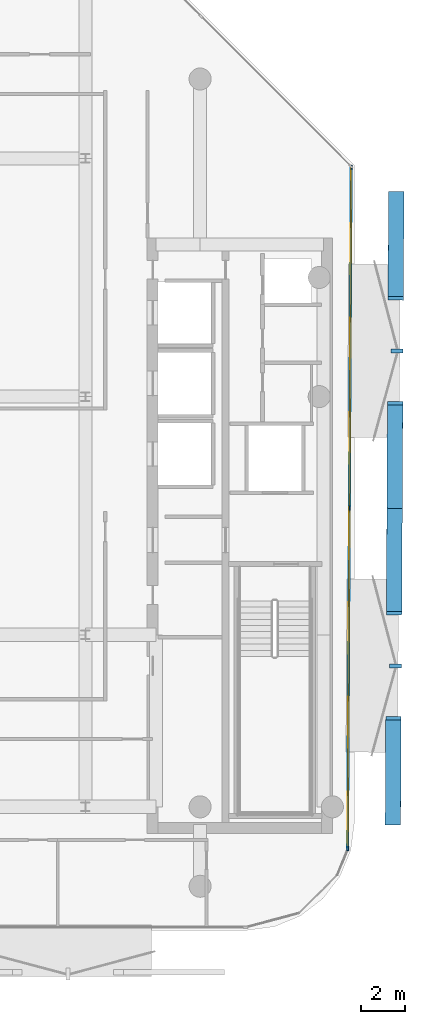
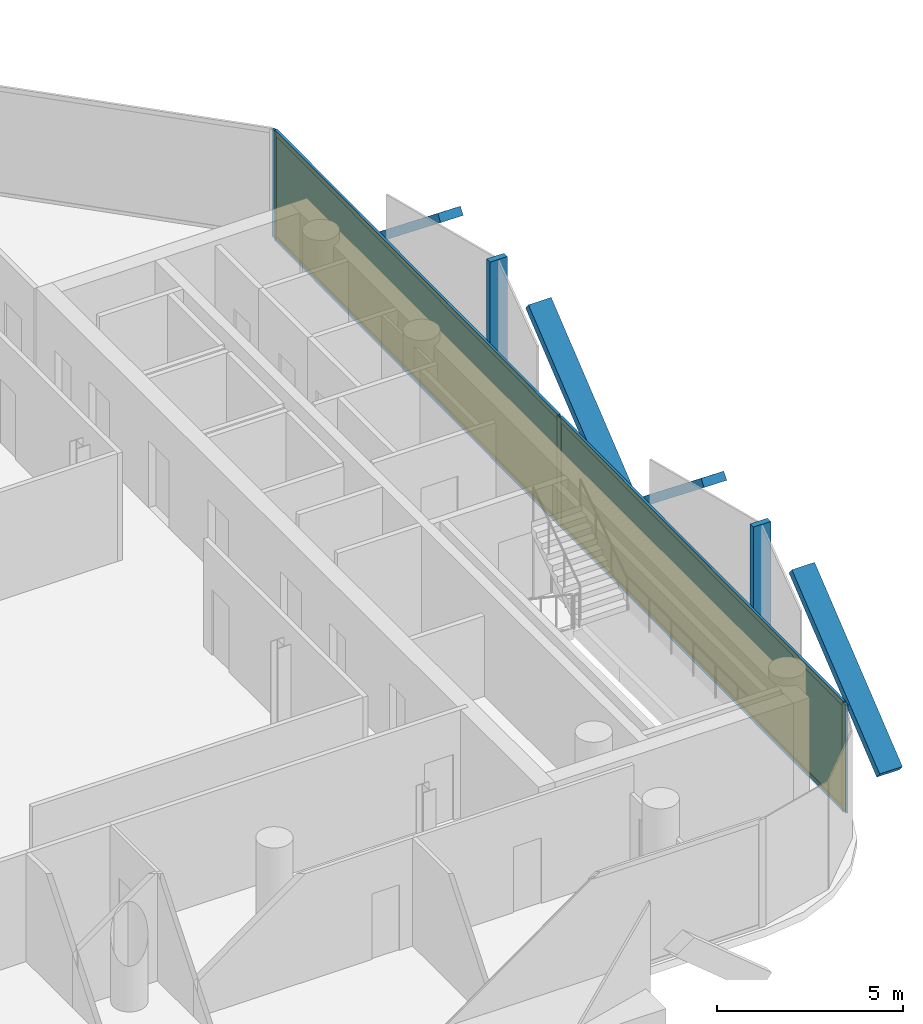
# One storey, part 11 of 16: 13 members, 2 plates, 1 curtain wall.
"""IFC4 building model written with IfcOpenShell, lengths in metres."""

from ifc_helpers import new_model, si_unit, direction, frame, frame_2d, origin, origin_2d, place, context, subcontext, project, spatial, rectangle, extrude, material, layer, layer_set, material_profile, profile_set, type_object, element, aggregate, save


model = new_model("IFC4")

# Units and contexts
model_context = context("Model", 3, precision=1e-05, world=origin(), true_north=direction((0.0, 1.0)))
body_context = subcontext(model_context, "Body", "Model", "MODEL_VIEW")
ifc_project = project(units=[si_unit("LENGTHUNIT", "METRE"), si_unit("AREAUNIT", "SQUARE_METRE"), si_unit("VOLUMEUNIT", "CUBIC_METRE"), si_unit("PLANEANGLEUNIT", "RADIAN"), si_unit("MASSUNIT", "GRAM", prefix="KILO")], contexts=[model_context])

# Member
ifc_material_1 = material(Name="Anodised Bronze Aluminium 6063-T6", Category="aluminium")
ifc_material_profile_1 = material_profile(ifc_material_1, rectangle(XDim=0.260009765625, YDim=0.699951171875, at=origin_2d()))
ifc_profile_set_1 = profile_set([ifc_material_profile_1], Name="Anodised Bronze Aluminium 6063-T6")
member_type_1 = type_object("IfcMemberType", Name="Bronze Diamond Solar-Screen Lattice Rib BDL-700", PredefinedType="MULLION", material=ifc_profile_set_1)
site_placement = place(None, origin())
building_placement = place(site_placement, origin())
storey_placement = place(building_placement, frame((0.0, 0.0, 300.39990234375)))
member_1_placement = place(storey_placement, frame((23.293701171875, 9.211181640625, -0.1298828125), z_axis=(-0.004129200536, -0.781421134407, 0.623990352814), x_axis=(-0.008533101281, -0.623945420184, -0.781421332454)))
member_1 = element("IfcMember", 1, at=member_1_placement, type_object=member_type_1, Name="L72 Bronze Diamond Solar Screen Lattice Rib 508A", PredefinedType="MULLION", context=body_context, shape_type="SweptSolid", body=[
    extrude(rectangle(XDim=0.260009765625, YDim=0.699951171875, at=origin_2d()), origin(), (0.0, 0.0, 1.0), 6.08984375),
])

member_2_placement = place(storey_placement, frame((23.21826171875, -5.065673828125, -0.1298828125), z_axis=(0.004129071185, 0.781436743696, 0.623970805706), x_axis=(0.008532828862, 0.62392587593, -0.781436940627)))
member_2 = element("IfcMember", 2, at=member_2_placement, type_object=member_type_1, Name="L72 Bronze Diamond Solar Screen Lattice Rib 508B", PredefinedType="MULLION", context=body_context, shape_type="SweptSolid", body=[
    extrude(rectangle(XDim=0.260009765625, YDim=0.699951171875, at=origin_2d()), origin(), (0.0, 0.0, 1.0), 6.090087890625),
])

member_3_placement = place(storey_placement, frame((23.21826171875, -5.065673828125, -0.1298828125), z_axis=(-0.004129071185, -0.781436743696, 0.623970805706), x_axis=(-0.008532828862, -0.62392587593, -0.781436940627)))
member_3 = element("IfcMember", 3, at=member_3_placement, type_object=member_type_1, Name="L72 Bronze Diamond Solar Screen Lattice Rib 509A", PredefinedType="MULLION", context=body_context, shape_type="SweptSolid", body=[
    extrude(rectangle(XDim=0.260009765625, YDim=0.699951171875, at=origin_2d()), origin(), (0.0, 0.0, 1.0), 6.090087890625),
])

member_4_placement = place(storey_placement, frame((23.142822265625, -19.342529296875, -0.1298828125), z_axis=(0.004129071185, 0.781436743696, 0.623970805706), x_axis=(0.008532828862, 0.62392587593, -0.781436940627)))
member_4 = element("IfcMember", 4, at=member_4_placement, type_object=member_type_1, Name="L72 Bronze Diamond Solar Screen Lattice Rib 509B", PredefinedType="MULLION", context=body_context, shape_type="SweptSolid", body=[
    extrude(rectangle(XDim=0.260009765625, YDim=0.699951171875, at=origin_2d()), origin(), (0.0, 0.0, 1.0), 6.090087890625),
])

ifc_material_2 = material(Name="Anodised Bronze Aluminium 6063-T6", Category="aluminium")
ifc_material_profile_2 = material_profile(ifc_material_2, rectangle(XDim=0.179931640625, YDim=0.5400390625, at=origin_2d()))
ifc_profile_set_2 = profile_set([ifc_material_profile_2], Name="Anodised Bronze Aluminium 6063-T6")
member_type_2 = type_object("IfcMemberType", Name="Bronze Solar-Screen Vertical Fold Fin BSF-540", PredefinedType="MULLION", material=ifc_profile_set_2)
member_5_placement = place(storey_placement, frame((23.3359375, 2.072509765625, -0.1298828125), z_axis=(0.0, 0.0, 1.0), x_axis=(-0.005235963831, -0.999986292247, 0.0)))
member_5 = element("IfcMember", 5, at=member_5_placement, type_object=member_type_2, Name="L72 Bronze Solar Screen Vertical Fin 508", PredefinedType="MULLION", context=body_context, shape_type="SweptSolid", body=[
    extrude(rectangle(XDim=0.179931640625, YDim=0.5400390625, at=origin_2d()), origin(), (0.0, 0.0, 1.0), 3.800048828125),
])

member_6_placement = place(storey_placement, frame((23.260498046875, -12.20458984375, -0.1298828125), z_axis=(0.0, 0.0, 1.0), x_axis=(-0.005235963831, -0.999986292247, 0.0)))
member_6 = element("IfcMember", 6, at=member_6_placement, type_object=member_type_2, Name="L72 Bronze Solar Screen Vertical Fin 509", PredefinedType="MULLION", context=body_context, shape_type="SweptSolid", body=[
    extrude(rectangle(XDim=0.179931640625, YDim=0.5400390625, at=origin_2d()), origin(), (0.0, 0.0, 1.0), 3.800048828125),
])

ifc_material_3 = material(Name="Anodised Bronze Aluminium 6063-T6", Category="aluminium")
ifc_material_profile_3 = material_profile(ifc_material_3, rectangle(XDim=0.074951171875, YDim=0.2099609375, at=origin_2d()))
ifc_profile_set_3 = profile_set([ifc_material_profile_3], Name="Anodised Bronze Aluminium 6063-T6")
member_type_3 = type_object("IfcMemberType", Name="CW-CRN Mullion 75x210", PredefinedType="MULLION", material=ifc_profile_set_3)
member_7_placement = place(storey_placement, frame((21.259765625, 10.384521484375, 0.0), z_axis=(0.0, 0.0, 1.0), x_axis=(0.999986067152, -0.005278778418, 0.0)))
member_7 = element("IfcMember", 7, at=member_7_placement, type_object=member_type_3, Name="CW-CRN mullion 1", PredefinedType="MULLION", context=body_context, shape_type="SweptSolid", body=[
    extrude(rectangle(XDim=0.074951171875, YDim=0.2099609375, at=origin_2d()), origin(), (0.0, 0.0, 1.0), 3.5400390625),
])

member_8_placement = place(storey_placement, frame((21.17822265625, -5.054931640625, 0.0), z_axis=(0.0, 0.0, 1.0), x_axis=(0.999986067152, -0.005278778418, 0.0)))
member_8 = element("IfcMember", 8, at=member_8_placement, type_object=member_type_3, Name="CW-CRN mullion 2", PredefinedType="MULLION", context=body_context, shape_type="SweptSolid", body=[
    extrude(rectangle(XDim=0.074951171875, YDim=0.2099609375, at=origin_2d()), origin(), (0.0, 0.0, 1.0), 3.5400390625),
])

member_9_placement = place(storey_placement, frame((21.0966796875, -20.494140625, 0.0), z_axis=(0.0, 0.0, 1.0), x_axis=(0.999986067152, -0.005278778418, 0.0)))
member_9 = element("IfcMember", 9, at=member_9_placement, type_object=member_type_3, Name="CW-CRN mullion 3", PredefinedType="MULLION", context=body_context, shape_type="SweptSolid", body=[
    extrude(rectangle(XDim=0.074951171875, YDim=0.2099609375, at=origin_2d()), origin(), (0.0, 0.0, 1.0), 3.5400390625),
])

ifc_material_4 = material(Name="Anodised Bronze Aluminium 6063-T6", Category="aluminium")
ifc_material_profile_4 = material_profile(ifc_material_4, rectangle(XDim=0.074951171875, YDim=0.1650390625, at=origin_2d()))
ifc_profile_set_4 = profile_set([ifc_material_profile_4], Name="Anodised Bronze Aluminium 6063-T6")
member_type_4 = type_object("IfcMemberType", Name="CW-CRN Transom 75x165", PredefinedType="USERDEFINED", material=ifc_profile_set_4)
member_10_placement = place(storey_placement, frame((21.259521484375, 10.346923828125, 0.03759765625), z_axis=(-0.005275462088, -0.999986084653, 0.0), x_axis=(0.999986084653, -0.005275462088, 0.0)))
member_10 = element("IfcMember", 10, at=member_10_placement, type_object=member_type_4, Name="CW-CRN transom 1.1", ObjectType="TRANSOM", PredefinedType="USERDEFINED", context=body_context, shape_type="SweptSolid", body=[
    extrude(rectangle(XDim=0.074951171875, YDim=0.1650390625, at=origin_2d()), origin(), (0.0, 0.0, 1.0), 15.364501953125),
])

member_11_placement = place(storey_placement, frame((21.259521484375, 10.346923828125, 3.502685546875), z_axis=(-0.005275462088, -0.999986084653, 0.0), x_axis=(0.999986084653, -0.005275462088, 0.0)))
member_11 = element("IfcMember", 11, at=member_11_placement, type_object=member_type_4, Name="CW-CRN transom 1.2", ObjectType="TRANSOM", PredefinedType="USERDEFINED", context=body_context, shape_type="SweptSolid", body=[
    extrude(rectangle(XDim=0.074951171875, YDim=0.1650390625, at=origin_2d()), origin(), (0.0, 0.0, 1.0), 15.364501953125),
])

member_12_placement = place(storey_placement, frame((21.17822265625, -5.09228515625, 0.03759765625), z_axis=(-0.005291267513, -0.999986001146, 0.0), x_axis=(0.999986001146, -0.005291267513, 0.0)))
member_12 = element("IfcMember", 12, at=member_12_placement, type_object=member_type_4, Name="CW-CRN transom 2.1", ObjectType="TRANSOM", PredefinedType="USERDEFINED", context=body_context, shape_type="SweptSolid", body=[
    extrude(rectangle(XDim=0.074951171875, YDim=0.1650390625, at=origin_2d()), origin(), (0.0, 0.0, 1.0), 15.36474609375),
])

member_13_placement = place(storey_placement, frame((21.17822265625, -5.09228515625, 3.502685546875), z_axis=(-0.005291267513, -0.999986001146, 0.0), x_axis=(0.999986001146, -0.005291267513, 0.0)))
member_13 = element("IfcMember", 13, at=member_13_placement, type_object=member_type_4, Name="CW-CRN transom 2.2", ObjectType="TRANSOM", PredefinedType="USERDEFINED", context=body_context, shape_type="SweptSolid", body=[
    extrude(rectangle(XDim=0.074951171875, YDim=0.1650390625, at=origin_2d()), origin(), (0.0, 0.0, 1.0), 15.36474609375),
])

# Plate
ifc_material_5 = material(Name="Low-E Solar Control Laminated Glass", Category="glass")
ifc_layer_1 = layer(ifc_material_5, 0.035888671875, Name="Low-E Solar Control Laminated Glass")
ifc_layer_set_1 = layer_set([ifc_layer_1], Name="Low-E Solar Control Laminated Glass")
plate_type = type_object("IfcPlateType", Name="CW-CRN Low-E Double Glazed Panel 36mm", PredefinedType="CURTAIN_PANEL", material=ifc_layer_set_1)
plate_1_placement = place(storey_placement, frame((21.218994140625, 2.664794921875, 0.0751953125), z_axis=(0.0, 0.0, 1.0), x_axis=(-0.005278778418, -0.999986067152, 0.0)))
plate_1 = element("IfcPlate", 14, at=plate_1_placement, type_object=plate_type, Name="CW-CRN panel 1.1", PredefinedType="CURTAIN_PANEL", context=body_context, shape_type="SweptSolid", body=[
    extrude(rectangle(XDim=15.364501953125, YDim=0.035888671875, at=origin_2d()), origin(), (0.0, 0.0, 1.0), 3.389892578125),
])

plate_2_placement = place(storey_placement, frame((21.137451171875, -12.7744140625, 0.0751953125), z_axis=(0.0, 0.0, 1.0), x_axis=(-0.005278778418, -0.999986067152, 0.0)))
plate_2 = element("IfcPlate", 15, at=plate_2_placement, type_object=plate_type, Name="CW-CRN panel 2.1", PredefinedType="CURTAIN_PANEL", context=body_context, shape_type="SweptSolid", body=[
    extrude(rectangle(XDim=15.364501953125, YDim=0.035888671875, at=origin_2d()), origin(), (0.0, 0.0, 1.0), 3.389892578125),
])

# Site, building, storey
site = spatial("IfcSite", under=ifc_project, at=site_placement, CompositionType="ELEMENT")
building = spatial("IfcBuilding", under=site, at=building_placement, Name="Khairoan Windgate Tower", CompositionType="ELEMENT")
storey = spatial("IfcBuildingStorey", under=building, at=storey_placement, Name="L72", CompositionType="ELEMENT", Elevation=300.39990234375)

# Curtain wall
ifc_material_6 = material(Name="Anodised Bronze Aluminium 6063-T6", Category="aluminium")
ifc_layer_2 = layer(ifc_material_6, 0.2099609375, Name="Anodised Bronze Aluminium 6063-T6")
ifc_layer_set_2 = layer_set([ifc_layer_2], Name="Anodised Bronze Aluminium 6063-T6")
curtain_wall_type = type_object("IfcCurtainWallType", Name="Crown Observation and Vitrine Curtain Wall CW-CRN", PredefinedType="NOTDEFINED", material=ifc_layer_set_2)
curtain_wall_placement = place(storey_placement, frame((21.260009765625, 10.422119140625, 0.0), z_axis=(0.0, 0.0, 1.0), x_axis=(-0.005276492756, -0.999986079215, 0.0)))
curtain_wall = element("IfcCurtainWall", 16, at=curtain_wall_placement, inside=storey, type_object=curtain_wall_type, Name="L72 Unitised Curtain Wall 9", PredefinedType="NOTDEFINED", context=body_context, shape_type="SweptSolid", body=[
    extrude(rectangle(XDim=30.954345703125, YDim=0.010009765625, at=frame_2d((15.47705078125, 0.0))), origin(), (0.0, 0.0, 1.0), 3.5400390625),
])

aggregate(curtain_wall, [member_7, member_8, member_9, member_10, member_11, plate_1, member_12, member_13, plate_2, member_1, member_2, member_5, member_3, member_4, member_6])

save(model, "model.ifc")
